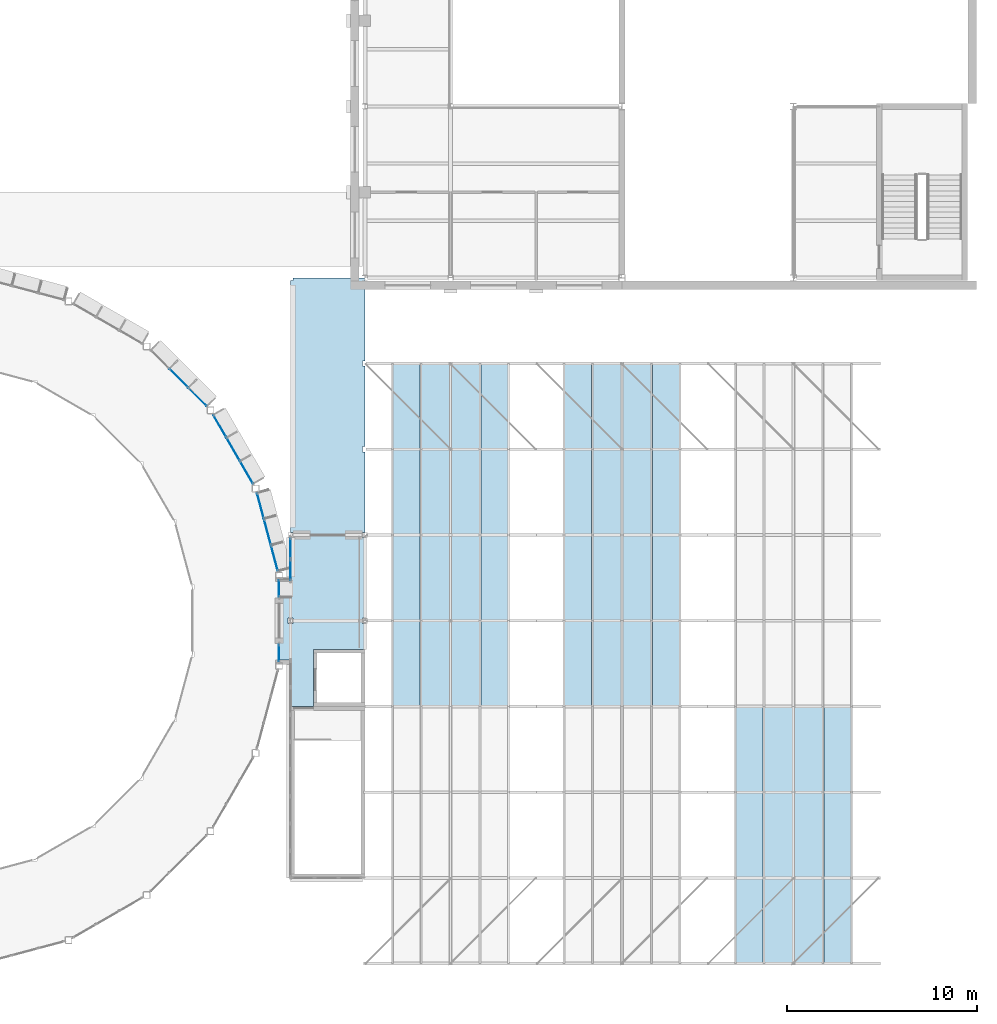
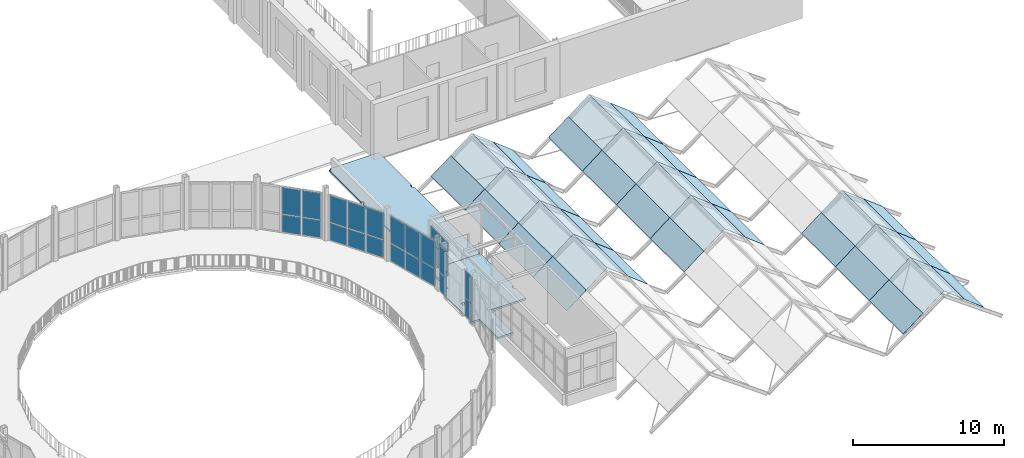
# One storey, part 36 of 74: 68 plates, 2 slabs, 6 elements without a shape of their own.
"""IFC4 building model written with IfcOpenShell, lengths in metres."""

from ifc_helpers import new_model, si_unit, direction, frame, origin, origin_2d, place, context, subcontext, project, spatial, polyline, rectangle, outline, extrude, material, layer, layer_set, type_object, element, aggregate, save


model = new_model("IFC4")

# Units and contexts
model_context = context("Model", 3, precision=1e-05, world=origin(), true_north=direction((0.0, 1.0)))
body_context = subcontext(model_context, "Body", "Model", "MODEL_VIEW")
ifc_project = project(units=[si_unit("LENGTHUNIT", "METRE"), si_unit("AREAUNIT", "SQUARE_METRE"), si_unit("VOLUMEUNIT", "CUBIC_METRE"), si_unit("PLANEANGLEUNIT", "RADIAN"), si_unit("MASSUNIT", "GRAM", prefix="KILO")], contexts=[model_context])

# Site, building, storey
site_placement = place(None, origin())
site = spatial("IfcSite", under=ifc_project, at=site_placement, CompositionType="ELEMENT")
building_placement = place(site_placement, origin())
building = spatial("IfcBuilding", under=site, at=building_placement, Name="Hortulan Conservatory and Botanical Research Centre", CompositionType="ELEMENT")
storey_placement = place(building_placement, frame((0.0, 0.0, 6.0)))
storey = spatial("IfcBuildingStorey", under=building, at=storey_placement, Name="L01", CompositionType="ELEMENT", Elevation=6.0)

# Plates
ifc_material_1 = material(Name="Verdigris copper-green zinc sheet on timber decking", Category="wood")
ifc_layer_1 = layer(ifc_material_1, 0.011962890625)
ifc_layer_set_1 = layer_set([ifc_layer_1], Name="Climate House End Bay Zinc Roof Panel 12")
plate_type_1 = type_object("IfcPlateType", Name="Climate House End Bay Zinc Roof Panel 12", PredefinedType="SHEET", material=ifc_layer_set_1)
plate_1_placement = place(storey_placement, frame((77.89794921875, 27.0, 0.2978515625), z_axis=(-0.613967295793, 0.0, 0.789331463769), x_axis=(0.789331463769, 0.0, 0.613967295793)))
element("IfcPlate", 1, at=plate_1_placement, inside=storey, type_object=plate_type_1, Name="Climate house end bay roof panel", PredefinedType="SHEET", context=body_context, shape_type="SweptSolid", body=[
    extrude(outline(polyline([(0.0, 0.0), (1.9003423388659808, 0.0), (1.9003423388659808, 4.5), (0.0, 4.5), (0.0, 0.0)])), origin(), (0.0, 0.0, -1.0), 0.011962890625),
])
plate_2_placement = place(storey_placement, frame((79.39794921875, 27.0, 1.464599609375), z_axis=(-0.613957268838, 0.0, 0.789339262954), x_axis=(0.789339262954, 0.0, 0.613957268838)))
element("IfcPlate", 2, at=plate_2_placement, inside=storey, type_object=plate_type_1, Name="Climate house end bay roof panel", PredefinedType="SHEET", context=body_context, shape_type="SweptSolid", body=[
    extrude(outline(polyline([(0.0, 0.0), (2.0296098983530797, 0.0), (2.0296098983530797, 4.5), (0.0, 4.5), (0.0, 0.0)])), origin(), (0.0, 0.0, -1.0), 0.011962890625),
])
plate_3_placement = place(storey_placement, frame((84.10205078125, 31.5, 0.2978515625), z_axis=(0.613967295793, 0.0, 0.789331463769), x_axis=(-0.789331463769, 0.0, 0.613967295793)))
element("IfcPlate", 3, at=plate_3_placement, inside=storey, type_object=plate_type_1, Name="Climate house end bay roof panel", PredefinedType="SHEET", context=body_context, shape_type="SweptSolid", body=[
    extrude(outline(polyline([(0.0, 0.0), (1.9003423388659808, 0.0), (1.9003423388659808, 4.5), (0.0, 4.5), (0.0, 0.0)])), origin(), (0.0, 0.0, -1.0), 0.011962890625),
])
plate_4_placement = place(storey_placement, frame((82.60205078125, 31.5, 1.464599609375), z_axis=(0.613957268838, 0.0, 0.789339262954), x_axis=(-0.789339262954, 0.0, 0.613957268838)))
element("IfcPlate", 4, at=plate_4_placement, inside=storey, type_object=plate_type_1, Name="Climate house end bay roof panel", PredefinedType="SHEET", context=body_context, shape_type="SweptSolid", body=[
    extrude(outline(polyline([(0.0, 0.0), (2.0296098983530797, 0.0), (2.0296098983530797, 4.5), (0.0, 4.5), (0.0, 0.0)])), origin(), (0.0, 0.0, -1.0), 0.011962890625),
])
plate_5_placement = place(storey_placement, frame((86.89794921875, 27.0, 0.2978515625), z_axis=(-0.613967295793, 0.0, 0.789331463769), x_axis=(0.789331463769, 0.0, 0.613967295793)))
element("IfcPlate", 5, at=plate_5_placement, inside=storey, type_object=plate_type_1, Name="Climate house end bay roof panel", PredefinedType="SHEET", context=body_context, shape_type="SweptSolid", body=[
    extrude(outline(polyline([(0.0, 0.0), (1.9003423388659808, 0.0), (1.9003423388659808, 4.5), (0.0, 4.5), (0.0, 0.0)])), origin(), (0.0, 0.0, -1.0), 0.011962890625),
])
plate_6_placement = place(storey_placement, frame((88.39794921875, 27.0, 1.464599609375), z_axis=(-0.613957268838, 0.0, 0.789339262954), x_axis=(0.789339262954, 0.0, 0.613957268838)))
element("IfcPlate", 6, at=plate_6_placement, inside=storey, type_object=plate_type_1, Name="Climate house end bay roof panel", PredefinedType="SHEET", context=body_context, shape_type="SweptSolid", body=[
    extrude(outline(polyline([(0.0, 0.0), (2.0296098983530797, 0.0), (2.0296098983530797, 4.5), (0.0, 4.5), (0.0, 0.0)])), origin(), (0.0, 0.0, -1.0), 0.011962890625),
])
plate_7_placement = place(storey_placement, frame((93.10205078125, 31.5, 0.2978515625), z_axis=(0.613967295793, 0.0, 0.789331463769), x_axis=(-0.789331463769, 0.0, 0.613967295793)))
element("IfcPlate", 7, at=plate_7_placement, inside=storey, type_object=plate_type_1, Name="Climate house end bay roof panel", PredefinedType="SHEET", context=body_context, shape_type="SweptSolid", body=[
    extrude(outline(polyline([(0.0, 0.0), (1.9003423388659808, 0.0), (1.9003423388659808, 4.5), (0.0, 4.5), (0.0, 0.0)])), origin(), (0.0, 0.0, -1.0), 0.011962890625),
])
plate_8_placement = place(storey_placement, frame((91.60205078125, 31.5, 1.464599609375), z_axis=(0.613957268838, 0.0, 0.789339262954), x_axis=(-0.789339262954, 0.0, 0.613957268838)))
element("IfcPlate", 8, at=plate_8_placement, inside=storey, type_object=plate_type_1, Name="Climate house end bay roof panel", PredefinedType="SHEET", context=body_context, shape_type="SweptSolid", body=[
    extrude(outline(polyline([(0.0, 0.0), (2.0296098983530797, 0.0), (2.0296098983530797, 4.5), (0.0, 4.5), (0.0, 0.0)])), origin(), (0.0, 0.0, -1.0), 0.011962890625),
])
plate_9_placement = place(storey_placement, frame((95.89794921875, 0.0, 0.2978515625), z_axis=(-0.613967295793, 0.0, 0.789331463769), x_axis=(0.789331463769, 0.0, 0.613967295793)))
element("IfcPlate", 9, at=plate_9_placement, inside=storey, type_object=plate_type_1, Name="Climate house end bay roof panel", PredefinedType="SHEET", context=body_context, shape_type="SweptSolid", body=[
    extrude(outline(polyline([(0.0, 0.0), (1.9003423388659808, 0.0), (1.9003423388659808, 4.5), (0.0, 4.5), (0.0, 0.0)])), origin(), (0.0, 0.0, -1.0), 0.011962890625),
])
plate_10_placement = place(storey_placement, frame((97.39794921875, 0.0, 1.464599609375), z_axis=(-0.613957268838, 0.0, 0.789339262954), x_axis=(0.789339262954, 0.0, 0.613957268838)))
element("IfcPlate", 10, at=plate_10_placement, inside=storey, type_object=plate_type_1, Name="Climate house end bay roof panel", PredefinedType="SHEET", context=body_context, shape_type="SweptSolid", body=[
    extrude(outline(polyline([(0.0, 0.0), (2.0296098983530797, 0.0), (2.0296098983530797, 4.5), (0.0, 4.5), (0.0, 0.0)])), origin(), (0.0, 0.0, -1.0), 0.011962890625),
])
plate_11_placement = place(storey_placement, frame((102.10205078125, 4.5, 0.2978515625), z_axis=(0.613967295793, 0.0, 0.789331463769), x_axis=(-0.789331463769, 0.0, 0.613967295793)))
element("IfcPlate", 11, at=plate_11_placement, inside=storey, type_object=plate_type_1, Name="Climate house end bay roof panel", PredefinedType="SHEET", context=body_context, shape_type="SweptSolid", body=[
    extrude(outline(polyline([(0.0, 0.0), (1.9003423388659808, 0.0), (1.9003423388659808, 4.5), (0.0, 4.5), (0.0, 0.0)])), origin(), (0.0, 0.0, -1.0), 0.011962890625),
])
plate_12_placement = place(storey_placement, frame((100.60205078125, 4.5, 1.464599609375), z_axis=(0.613957268838, 0.0, 0.789339262954), x_axis=(-0.789339262954, 0.0, 0.613957268838)))
element("IfcPlate", 12, at=plate_12_placement, inside=storey, type_object=plate_type_1, Name="Climate house end bay roof panel", PredefinedType="SHEET", context=body_context, shape_type="SweptSolid", body=[
    extrude(outline(polyline([(0.0, 0.0), (2.0296098983530797, 0.0), (2.0296098983530797, 4.5), (0.0, 4.5), (0.0, 0.0)])), origin(), (0.0, 0.0, -1.0), 0.011962890625),
])
ifc_material_2 = material(Name="Low-e laminated glass", Category="glass")
ifc_layer_2 = layer(ifc_material_2, 0.011962890625)
ifc_layer_set_2 = layer_set([ifc_layer_2], Name="Glasshouse Roof Glazing Panel 12")
plate_type_2 = type_object("IfcPlateType", Name="Glasshouse Roof Glazing Panel 12", PredefinedType="SHEET", material=ifc_layer_set_2)
for number, where, z_axis, x_axis, name in (
    (13, (77.89794921875, 13.5, 0.2978515625), (-0.613967295793, 0.0, 0.789331463769), (0.789331463769, 0.0, 0.613967295793), "Glasshouse roof panel"),
    (14, (77.89794921875, 18.0, 0.2978515625), (-0.613967295793, 0.0, 0.789331463769), (0.789331463769, 0.0, 0.613967295793), "Glasshouse roof panel"),
    (15, (77.89794921875, 22.5, 0.2978515625), (-0.613967295793, 0.0, 0.789331463769), (0.789331463769, 0.0, 0.613967295793), "Glasshouse roof panel"),
):
    element("IfcPlate", number, at=place(storey_placement, frame(where, z_axis=z_axis, x_axis=x_axis)), inside=storey, type_object=plate_type_2, Name=name, PredefinedType="SHEET", context=body_context, shape_type="SweptSolid", body=[
        extrude(outline(polyline([(0.0, 0.0), (1.9003423388659808, 0.0), (1.9003423388659808, 4.5), (0.0, 4.5), (0.0, 0.0)])), origin(), (0.0, 0.0, -1.0), 0.011962890625),
    ])
for number, where, z_axis, x_axis, name in (
    (16, (79.39794921875, 13.5, 1.464599609375), (-0.613957268838, 0.0, 0.789339262954), (0.789339262954, 0.0, 0.613957268838), "Glasshouse roof panel"),
    (17, (79.39794921875, 18.0, 1.464599609375), (-0.613957268838, 0.0, 0.789339262954), (0.789339262954, 0.0, 0.613957268838), "Glasshouse roof panel"),
    (18, (79.39794921875, 22.5, 1.464599609375), (-0.613957268838, 0.0, 0.789339262954), (0.789339262954, 0.0, 0.613957268838), "Glasshouse roof panel"),
):
    element("IfcPlate", number, at=place(storey_placement, frame(where, z_axis=z_axis, x_axis=x_axis)), inside=storey, type_object=plate_type_2, Name=name, PredefinedType="SHEET", context=body_context, shape_type="SweptSolid", body=[
        extrude(outline(polyline([(0.0, 0.0), (2.0296098983530797, 0.0), (2.0296098983530797, 4.5), (0.0, 4.5), (0.0, 0.0)])), origin(), (0.0, 0.0, -1.0), 0.011962890625),
    ])
for number, where, z_axis, x_axis, name in (
    (19, (84.10205078125, 18.0, 0.2978515625), (0.613967295793, 0.0, 0.789331463769), (-0.789331463769, 0.0, 0.613967295793), "Glasshouse roof panel"),
    (20, (84.10205078125, 22.5, 0.2978515625), (0.613967295793, 0.0, 0.789331463769), (-0.789331463769, 0.0, 0.613967295793), "Glasshouse roof panel"),
    (21, (84.10205078125, 27.0, 0.2978515625), (0.613967295793, 0.0, 0.789331463769), (-0.789331463769, 0.0, 0.613967295793), "Glasshouse roof panel"),
):
    element("IfcPlate", number, at=place(storey_placement, frame(where, z_axis=z_axis, x_axis=x_axis)), inside=storey, type_object=plate_type_2, Name=name, PredefinedType="SHEET", context=body_context, shape_type="SweptSolid", body=[
        extrude(outline(polyline([(0.0, 0.0), (1.9003423388659808, 0.0), (1.9003423388659808, 4.5), (0.0, 4.5), (0.0, 0.0)])), origin(), (0.0, 0.0, -1.0), 0.011962890625),
    ])
for number, where, z_axis, x_axis, name in (
    (22, (82.60205078125, 18.0, 1.464599609375), (0.613957268838, 0.0, 0.789339262954), (-0.789339262954, 0.0, 0.613957268838), "Glasshouse roof panel"),
    (23, (82.60205078125, 22.5, 1.464599609375), (0.613957268838, 0.0, 0.789339262954), (-0.789339262954, 0.0, 0.613957268838), "Glasshouse roof panel"),
    (24, (82.60205078125, 27.0, 1.464599609375), (0.613957268838, 0.0, 0.789339262954), (-0.789339262954, 0.0, 0.613957268838), "Glasshouse roof panel"),
):
    element("IfcPlate", number, at=place(storey_placement, frame(where, z_axis=z_axis, x_axis=x_axis)), inside=storey, type_object=plate_type_2, Name=name, PredefinedType="SHEET", context=body_context, shape_type="SweptSolid", body=[
        extrude(outline(polyline([(0.0, 0.0), (2.0296098983530797, 0.0), (2.0296098983530797, 4.5), (0.0, 4.5), (0.0, 0.0)])), origin(), (0.0, 0.0, -1.0), 0.011962890625),
    ])
for number, where, z_axis, x_axis, name in (
    (25, (86.89794921875, 13.5, 0.2978515625), (-0.613967295793, 0.0, 0.789331463769), (0.789331463769, 0.0, 0.613967295793), "Glasshouse roof panel"),
    (26, (86.89794921875, 18.0, 0.2978515625), (-0.613967295793, 0.0, 0.789331463769), (0.789331463769, 0.0, 0.613967295793), "Glasshouse roof panel"),
    (27, (86.89794921875, 22.5, 0.2978515625), (-0.613967295793, 0.0, 0.789331463769), (0.789331463769, 0.0, 0.613967295793), "Glasshouse roof panel"),
):
    element("IfcPlate", number, at=place(storey_placement, frame(where, z_axis=z_axis, x_axis=x_axis)), inside=storey, type_object=plate_type_2, Name=name, PredefinedType="SHEET", context=body_context, shape_type="SweptSolid", body=[
        extrude(outline(polyline([(0.0, 0.0), (1.9003423388659808, 0.0), (1.9003423388659808, 4.5), (0.0, 4.5), (0.0, 0.0)])), origin(), (0.0, 0.0, -1.0), 0.011962890625),
    ])
for number, where, z_axis, x_axis, name in (
    (28, (88.39794921875, 13.5, 1.464599609375), (-0.613957268838, 0.0, 0.789339262954), (0.789339262954, 0.0, 0.613957268838), "Glasshouse roof panel"),
    (29, (88.39794921875, 18.0, 1.464599609375), (-0.613957268838, 0.0, 0.789339262954), (0.789339262954, 0.0, 0.613957268838), "Glasshouse roof panel"),
    (30, (88.39794921875, 22.5, 1.464599609375), (-0.613957268838, 0.0, 0.789339262954), (0.789339262954, 0.0, 0.613957268838), "Glasshouse roof panel"),
):
    element("IfcPlate", number, at=place(storey_placement, frame(where, z_axis=z_axis, x_axis=x_axis)), inside=storey, type_object=plate_type_2, Name=name, PredefinedType="SHEET", context=body_context, shape_type="SweptSolid", body=[
        extrude(outline(polyline([(0.0, 0.0), (2.0296098983530797, 0.0), (2.0296098983530797, 4.5), (0.0, 4.5), (0.0, 0.0)])), origin(), (0.0, 0.0, -1.0), 0.011962890625),
    ])
for number, where, z_axis, x_axis, name in (
    (31, (93.10205078125, 18.0, 0.2978515625), (0.613967295793, 0.0, 0.789331463769), (-0.789331463769, 0.0, 0.613967295793), "Glasshouse roof panel"),
    (32, (93.10205078125, 22.5, 0.2978515625), (0.613967295793, 0.0, 0.789331463769), (-0.789331463769, 0.0, 0.613967295793), "Glasshouse roof panel"),
    (33, (93.10205078125, 27.0, 0.2978515625), (0.613967295793, 0.0, 0.789331463769), (-0.789331463769, 0.0, 0.613967295793), "Glasshouse roof panel"),
):
    element("IfcPlate", number, at=place(storey_placement, frame(where, z_axis=z_axis, x_axis=x_axis)), inside=storey, type_object=plate_type_2, Name=name, PredefinedType="SHEET", context=body_context, shape_type="SweptSolid", body=[
        extrude(outline(polyline([(0.0, 0.0), (1.9003423388659808, 0.0), (1.9003423388659808, 4.5), (0.0, 4.5), (0.0, 0.0)])), origin(), (0.0, 0.0, -1.0), 0.011962890625),
    ])
for number, where, z_axis, x_axis, name in (
    (34, (91.60205078125, 18.0, 1.464599609375), (0.613957268838, 0.0, 0.789339262954), (-0.789339262954, 0.0, 0.613957268838), "Glasshouse roof panel"),
    (35, (91.60205078125, 22.5, 1.464599609375), (0.613957268838, 0.0, 0.789339262954), (-0.789339262954, 0.0, 0.613957268838), "Glasshouse roof panel"),
    (36, (91.60205078125, 27.0, 1.464599609375), (0.613957268838, 0.0, 0.789339262954), (-0.789339262954, 0.0, 0.613957268838), "Glasshouse roof panel"),
):
    element("IfcPlate", number, at=place(storey_placement, frame(where, z_axis=z_axis, x_axis=x_axis)), inside=storey, type_object=plate_type_2, Name=name, PredefinedType="SHEET", context=body_context, shape_type="SweptSolid", body=[
        extrude(outline(polyline([(0.0, 0.0), (2.0296098983530797, 0.0), (2.0296098983530797, 4.5), (0.0, 4.5), (0.0, 0.0)])), origin(), (0.0, 0.0, -1.0), 0.011962890625),
    ])
for number, where, z_axis, x_axis, name in (
    (37, (95.89794921875, 4.5, 0.2978515625), (-0.613967295793, 0.0, 0.789331463769), (0.789331463769, 0.0, 0.613967295793), "Glasshouse roof panel"),
    (38, (95.89794921875, 9.0, 0.2978515625), (-0.613967295793, 0.0, 0.789331463769), (0.789331463769, 0.0, 0.613967295793), "Glasshouse roof panel"),
):
    element("IfcPlate", number, at=place(storey_placement, frame(where, z_axis=z_axis, x_axis=x_axis)), inside=storey, type_object=plate_type_2, Name=name, PredefinedType="SHEET", context=body_context, shape_type="SweptSolid", body=[
        extrude(outline(polyline([(0.0, 0.0), (1.9003423388659808, 0.0), (1.9003423388659808, 4.5), (0.0, 4.5), (0.0, 0.0)])), origin(), (0.0, 0.0, -1.0), 0.011962890625),
    ])
for number, where, z_axis, x_axis, name in (
    (39, (97.39794921875, 4.5, 1.464599609375), (-0.613957268838, 0.0, 0.789339262954), (0.789339262954, 0.0, 0.613957268838), "Glasshouse roof panel"),
    (40, (97.39794921875, 9.0, 1.464599609375), (-0.613957268838, 0.0, 0.789339262954), (0.789339262954, 0.0, 0.613957268838), "Glasshouse roof panel"),
):
    element("IfcPlate", number, at=place(storey_placement, frame(where, z_axis=z_axis, x_axis=x_axis)), inside=storey, type_object=plate_type_2, Name=name, PredefinedType="SHEET", context=body_context, shape_type="SweptSolid", body=[
        extrude(outline(polyline([(0.0, 0.0), (2.0296098983530797, 0.0), (2.0296098983530797, 4.5), (0.0, 4.5), (0.0, 0.0)])), origin(), (0.0, 0.0, -1.0), 0.011962890625),
    ])
for number, where, z_axis, x_axis, name in (
    (41, (102.10205078125, 9.0, 0.2978515625), (0.613967295793, 0.0, 0.789331463769), (-0.789331463769, 0.0, 0.613967295793), "Glasshouse roof panel"),
    (42, (102.10205078125, 13.5, 0.2978515625), (0.613967295793, 0.0, 0.789331463769), (-0.789331463769, 0.0, 0.613967295793), "Glasshouse roof panel"),
):
    element("IfcPlate", number, at=place(storey_placement, frame(where, z_axis=z_axis, x_axis=x_axis)), inside=storey, type_object=plate_type_2, Name=name, PredefinedType="SHEET", context=body_context, shape_type="SweptSolid", body=[
        extrude(outline(polyline([(0.0, 0.0), (1.9003423388659808, 0.0), (1.9003423388659808, 4.5), (0.0, 4.5), (0.0, 0.0)])), origin(), (0.0, 0.0, -1.0), 0.011962890625),
    ])
for number, where, z_axis, x_axis, name in (
    (43, (100.60205078125, 9.0, 1.464599609375), (0.613957268838, 0.0, 0.789339262954), (-0.789339262954, 0.0, 0.613957268838), "Glasshouse roof panel"),
    (44, (100.60205078125, 13.5, 1.464599609375), (0.613957268838, 0.0, 0.789339262954), (-0.789339262954, 0.0, 0.613957268838), "Glasshouse roof panel"),
):
    element("IfcPlate", number, at=place(storey_placement, frame(where, z_axis=z_axis, x_axis=x_axis)), inside=storey, type_object=plate_type_2, Name=name, PredefinedType="SHEET", context=body_context, shape_type="SweptSolid", body=[
        extrude(outline(polyline([(0.0, 0.0), (2.0296098983530797, 0.0), (2.0296098983530797, 4.5), (0.0, 4.5), (0.0, 0.0)])), origin(), (0.0, 0.0, -1.0), 0.011962890625),
    ])

# Slabs
ifc_material_3 = material(Name="Concrete N40 (40 MPa, AS 3600)", Category="concrete")
ifc_layer_3 = layer(ifc_material_3, 0.14990234375)
ifc_layer_set_3 = layer_set([ifc_layer_3], Name="Head Link Floor Slab 150")
slab_type_1 = type_object("IfcSlabType", Name="Head Link Floor Slab 150", PredefinedType="FLOOR", material=ifc_layer_set_3)
slab_1_placement = place(storey_placement, frame((0.0, 0.0, -0.14990234375)))
element("IfcSlab", 45, at=slab_1_placement, inside=storey, type_object=slab_type_1, Name="HE floor slab 1", PredefinedType="FLOOR", context=body_context, shape_type="SweptSolid", body=[
    extrude(outline(polyline([(73.800048828125, 16.5), (73.800048828125, 13.5), (72.60009765625, 13.5), (72.60009765625, 15.930419921875), (72.0, 15.930419921875), (72.0, 20.069580078125), (72.60009765625, 20.069580078125), (72.60009765625, 22.364990234375), (72.735107421875, 22.364990234375), (72.735107421875, 22.5), (76.364990234375, 22.5), (76.364990234375, 22.364990234375), (76.5, 22.364990234375), (76.5, 18.135009765625), (76.364990234375, 18.135009765625), (76.364990234375, 17.864990234375), (76.5, 17.864990234375), (76.5, 16.5), (73.800048828125, 16.5)]), holes=[polyline([(72.465087890625, 18.135009765625), (72.465087890625, 17.864990234375), (72.735107421875, 17.864990234375), (72.735107421875, 18.135009765625), (72.465087890625, 18.135009765625)])]), origin(), (0.0, 0.0, 1.0), 0.14990234375),
])
ifc_layer_4 = layer(ifc_material_3, 0.14990234375)
ifc_layer_set_4 = layer_set([ifc_layer_4], Name="Head Link Roof Slab 150")
slab_type_2 = type_object("IfcSlabType", Name="Head Link Roof Slab 150", PredefinedType="ROOF", material=ifc_layer_set_4)
slab_2_placement = place(storey_placement, frame((0.0, 0.0, -0.14990234375)))
element("IfcSlab", 46, at=slab_2_placement, inside=storey, type_object=slab_type_2, Name="HE passage roof slab 1", PredefinedType="ROOF", context=body_context, shape_type="SweptSolid", body=[
    extrude(outline(polyline([(76.5, 22.635009765625), (76.364990234375, 22.635009765625), (76.364990234375, 22.5), (72.735107421875, 22.5), (72.735107421875, 22.635009765625), (72.60009765625, 22.635009765625), (72.60009765625, 26.864990234375), (72.735107421875, 26.864990234375), (72.735107421875, 27.135009765625), (72.60009765625, 27.135009765625), (72.60009765625, 31.364990234375), (72.735107421875, 31.364990234375), (72.735107421875, 31.635009765625), (72.60009765625, 31.635009765625), (72.60009765625, 35.864990234375), (72.735107421875, 35.864990234375), (72.735107421875, 36.0), (76.5, 36.0), (76.5, 31.635009765625), (76.364990234375, 31.635009765625), (76.364990234375, 31.364990234375), (76.5, 31.364990234375), (76.5, 27.135009765625), (76.364990234375, 27.135009765625), (76.364990234375, 26.864990234375), (76.5, 26.864990234375), (76.5, 22.635009765625)])), origin(), (0.0, 0.0, 1.0), 0.14990234375),
])

# Curtain wall, plates
ifc_material_4 = material(Name="Bronze-finished aluminium", Category="aluminium")
ifc_layer_5 = layer(ifc_material_4, 0.10009765625)
ifc_layer_set_5 = layer_set([ifc_layer_5], Name="Bronze-framed Curtain Wall 1500 module")
curtain_wall_type = type_object("IfcCurtainWallType", Name="Bronze-framed Curtain Wall 1500 module", PredefinedType="NOTDEFINED", material=ifc_layer_set_5)
curtain_wall_1_placement = place(storey_placement, origin())
curtain_wall_1 = element("IfcCurtainWall", 47, at=curtain_wall_1_placement, inside=storey, type_object=curtain_wall_type, Name="Curtain wall", PredefinedType="NOTDEFINED")
ifc_layer_6 = layer(ifc_material_2, 0.028076171875)
ifc_layer_set_6 = layer_set([ifc_layer_6], Name="Laminated Glass Panel 28")
plate_type_3 = type_object("IfcPlateType", Name="Laminated Glass Panel 28", PredefinedType="CURTAIN_PANEL", material=ifc_layer_set_6)
plate_13_placement = place(storey_placement, frame((71.0185546875, 24.032470703125, 0.06005859375), z_axis=(0.0, 0.0, 1.0), x_axis=(0.258831936284, -0.965922372015, 0.0)))
plate_13 = element("IfcPlate", 48, at=plate_13_placement, type_object=plate_type_3, Name="CW1 panel 1.1", PredefinedType="CURTAIN_PANEL", context=body_context, shape_type="SweptSolid", body=[
    extrude(rectangle(XDim=1.346923828125, YDim=0.028076171875, at=origin_2d()), origin(), (0.0, 0.0, 1.0), 1.409912109375),
])
plate_14_placement = place(storey_placement, frame((71.0185546875, 24.032470703125, 1.5302734375), z_axis=(0.0, 0.0, 1.0), x_axis=(0.258831936284, -0.965922372015, 0.0)))
plate_14 = element("IfcPlate", 49, at=plate_14_placement, type_object=plate_type_3, Name="CW1 panel 1.2", PredefinedType="CURTAIN_PANEL", context=body_context, shape_type="SweptSolid", body=[
    extrude(rectangle(XDim=1.346923828125, YDim=0.028076171875, at=origin_2d()), origin(), (0.0, 0.0, 1.0), 2.159912109375),
])
plate_15_placement = place(storey_placement, frame((71.38671875, 22.658935546875, 0.06005859375), z_axis=(0.0, 0.0, 1.0), x_axis=(0.258831936284, -0.965922372015, 0.0)))
plate_15 = element("IfcPlate", 50, at=plate_15_placement, type_object=plate_type_3, Name="CW1 panel 2.1", PredefinedType="CURTAIN_PANEL", context=body_context, shape_type="SweptSolid", body=[
    extrude(rectangle(XDim=1.376953125, YDim=0.028076171875, at=origin_2d()), origin(), (0.0, 0.0, 1.0), 1.409912109375),
])
plate_16_placement = place(storey_placement, frame((71.38671875, 22.658935546875, 1.5302734375), z_axis=(0.0, 0.0, 1.0), x_axis=(0.258831936284, -0.965922372015, 0.0)))
plate_16 = element("IfcPlate", 51, at=plate_16_placement, type_object=plate_type_3, Name="CW1 panel 2.2", PredefinedType="CURTAIN_PANEL", context=body_context, shape_type="SweptSolid", body=[
    extrude(rectangle(XDim=1.376953125, YDim=0.028076171875, at=origin_2d()), origin(), (0.0, 0.0, 1.0), 2.159912109375),
])
plate_17_placement = place(storey_placement, frame((71.754638671875, 21.285400390625, 0.06005859375), z_axis=(0.0, 0.0, 1.0), x_axis=(0.258831936284, -0.965922372015, 0.0)))
plate_17 = element("IfcPlate", 52, at=plate_17_placement, type_object=plate_type_3, Name="CW1 panel 3.1", PredefinedType="CURTAIN_PANEL", context=body_context, shape_type="SweptSolid", body=[
    extrude(rectangle(XDim=1.346923828125, YDim=0.028076171875, at=origin_2d()), origin(), (0.0, 0.0, 1.0), 1.409912109375),
])
plate_18_placement = place(storey_placement, frame((71.754638671875, 21.285400390625, 1.5302734375), z_axis=(0.0, 0.0, 1.0), x_axis=(0.258831936284, -0.965922372015, 0.0)))
plate_18 = element("IfcPlate", 53, at=plate_18_placement, type_object=plate_type_3, Name="CW1 panel 3.2", PredefinedType="CURTAIN_PANEL", context=body_context, shape_type="SweptSolid", body=[
    extrude(rectangle(XDim=1.346923828125, YDim=0.028076171875, at=origin_2d()), origin(), (0.0, 0.0, 1.0), 2.159912109375),
])
aggregate(curtain_wall_1, [plate_13, plate_14, plate_15, plate_16, plate_17, plate_18])

curtain_wall_2_placement = place(storey_placement, origin())
curtain_wall_2 = element("IfcCurtainWall", 54, at=curtain_wall_2_placement, inside=storey, type_object=curtain_wall_type, Name="Curtain wall", PredefinedType="NOTDEFINED")
plate_19_placement = place(storey_placement, frame((68.885986328125, 28.217041015625, 0.06005859375), z_axis=(0.0, 0.0, 1.0), x_axis=(0.499981160235, -0.866036280655, 0.0)))
plate_19 = element("IfcPlate", 55, at=plate_19_placement, type_object=plate_type_3, Name="CW1 panel 1.1", PredefinedType="CURTAIN_PANEL", context=body_context, shape_type="SweptSolid", body=[
    extrude(rectangle(XDim=1.330078125, YDim=0.028076171875, at=origin_2d()), origin(), (0.0, 0.0, 1.0), 1.409912109375),
])
plate_20_placement = place(storey_placement, frame((68.885986328125, 28.217041015625, 1.5302734375), z_axis=(0.0, 0.0, 1.0), x_axis=(0.499981160235, -0.866036280655, 0.0)))
plate_20 = element("IfcPlate", 56, at=plate_20_placement, type_object=plate_type_3, Name="CW1 panel 1.2", PredefinedType="CURTAIN_PANEL", context=body_context, shape_type="SweptSolid", body=[
    extrude(rectangle(XDim=1.330078125, YDim=0.028076171875, at=origin_2d()), origin(), (0.0, 0.0, 1.0), 2.159912109375),
])
plate_21_placement = place(storey_placement, frame((69.58837890625, 27.0, 0.06005859375), z_axis=(0.0, 0.0, 1.0), x_axis=(0.499981160235, -0.866036280655, 0.0)))
plate_21 = element("IfcPlate", 57, at=plate_21_placement, type_object=plate_type_3, Name="CW1 panel 2.1", PredefinedType="CURTAIN_PANEL", context=body_context, shape_type="SweptSolid", body=[
    extrude(rectangle(XDim=1.360107421875, YDim=0.028076171875, at=origin_2d()), origin(), (0.0, 0.0, 1.0), 1.409912109375),
])
plate_22_placement = place(storey_placement, frame((69.58837890625, 27.0, 1.5302734375), z_axis=(0.0, 0.0, 1.0), x_axis=(0.499981160235, -0.866036280655, 0.0)))
plate_22 = element("IfcPlate", 58, at=plate_22_placement, type_object=plate_type_3, Name="CW1 panel 2.2", PredefinedType="CURTAIN_PANEL", context=body_context, shape_type="SweptSolid", body=[
    extrude(rectangle(XDim=1.360107421875, YDim=0.028076171875, at=origin_2d()), origin(), (0.0, 0.0, 1.0), 2.159912109375),
])
plate_23_placement = place(storey_placement, frame((70.291015625, 25.782958984375, 0.06005859375), z_axis=(0.0, 0.0, 1.0), x_axis=(0.499981160235, -0.866036280655, 0.0)))
plate_23 = element("IfcPlate", 59, at=plate_23_placement, type_object=plate_type_3, Name="CW1 panel 3.1", PredefinedType="CURTAIN_PANEL", context=body_context, shape_type="SweptSolid", body=[
    extrude(rectangle(XDim=1.330078125, YDim=0.028076171875, at=origin_2d()), origin(), (0.0, 0.0, 1.0), 1.409912109375),
])
plate_24_placement = place(storey_placement, frame((70.291015625, 25.782958984375, 1.5302734375), z_axis=(0.0, 0.0, 1.0), x_axis=(0.499981160235, -0.866036280655, 0.0)))
plate_24 = element("IfcPlate", 60, at=plate_24_placement, type_object=plate_type_3, Name="CW1 panel 3.2", PredefinedType="CURTAIN_PANEL", context=body_context, shape_type="SweptSolid", body=[
    extrude(rectangle(XDim=1.330078125, YDim=0.028076171875, at=origin_2d()), origin(), (0.0, 0.0, 1.0), 2.159912109375),
])
aggregate(curtain_wall_2, [plate_19, plate_20, plate_21, plate_22, plate_23, plate_24])

curtain_wall_3_placement = place(storey_placement, origin())
curtain_wall_3 = element("IfcCurtainWall", 61, at=curtain_wall_3_placement, inside=storey, type_object=curtain_wall_type, Name="Curtain wall", PredefinedType="NOTDEFINED")
plate_25_placement = place(storey_placement, frame((66.72802734375, 30.72802734375, 0.06005859375), z_axis=(0.0, 0.0, 1.0), x_axis=(0.707106781187, -0.707106781187, 0.0)))
plate_25 = element("IfcPlate", 62, at=plate_25_placement, type_object=plate_type_3, Name="CW1 panel 2.1", PredefinedType="CURTAIN_PANEL", context=body_context, shape_type="SweptSolid", body=[
    extrude(rectangle(XDim=1.355224609375, YDim=0.028076171875, at=origin_2d()), origin(), (0.0, 0.0, 1.0), 1.409912109375),
])
plate_26_placement = place(storey_placement, frame((66.72802734375, 30.72802734375, 1.5302734375), z_axis=(0.0, 0.0, 1.0), x_axis=(0.707106781187, -0.707106781187, 0.0)))
plate_26 = element("IfcPlate", 63, at=plate_26_placement, type_object=plate_type_3, Name="CW1 panel 2.2", PredefinedType="CURTAIN_PANEL", context=body_context, shape_type="SweptSolid", body=[
    extrude(rectangle(XDim=1.355224609375, YDim=0.028076171875, at=origin_2d()), origin(), (0.0, 0.0, 1.0), 2.159912109375),
])
plate_27_placement = place(storey_placement, frame((67.718017578125, 29.738037109375, 0.06005859375), z_axis=(0.0, 0.0, 1.0), x_axis=(0.707106781187, -0.707106781187, 0.0)))
plate_27 = element("IfcPlate", 64, at=plate_27_placement, type_object=plate_type_3, Name="CW1 panel 3.1", PredefinedType="CURTAIN_PANEL", context=body_context, shape_type="SweptSolid", body=[
    extrude(rectangle(XDim=1.3251953125, YDim=0.028076171875, at=origin_2d()), origin(), (0.0, 0.0, 1.0), 1.409912109375),
])
plate_28_placement = place(storey_placement, frame((67.718017578125, 29.738037109375, 1.5302734375), z_axis=(0.0, 0.0, 1.0), x_axis=(0.707106781187, -0.707106781187, 0.0)))
plate_28 = element("IfcPlate", 65, at=plate_28_placement, type_object=plate_type_3, Name="CW1 panel 3.2", PredefinedType="CURTAIN_PANEL", context=body_context, shape_type="SweptSolid", body=[
    extrude(rectangle(XDim=1.3251953125, YDim=0.028076171875, at=origin_2d()), origin(), (0.0, 0.0, 1.0), 2.159912109375),
])
aggregate(curtain_wall_3, [plate_25, plate_26, plate_27, plate_28])

curtain_wall_4_placement = place(storey_placement, origin())
curtain_wall_4 = element("IfcCurtainWall", 66, at=curtain_wall_4_placement, inside=storey, type_object=curtain_wall_type, Name="Curtain wall", PredefinedType="NOTDEFINED")
plate_29_placement = place(storey_placement, frame((72.0, 19.697509765625, 0.06005859375), z_axis=(0.0, 0.0, 1.0), x_axis=(0.0, -1.0, 0.0)))
plate_29 = element("IfcPlate", 67, at=plate_29_placement, type_object=plate_type_3, Name="CW1 panel 1.1", PredefinedType="CURTAIN_PANEL", context=body_context, shape_type="SweptSolid", body=[
    extrude(rectangle(XDim=0.875, YDim=0.028076171875, at=origin_2d()), origin(), (0.0, 0.0, 1.0), 1.409912109375),
])
plate_30_placement = place(storey_placement, frame((72.0, 19.697509765625, 1.5302734375), z_axis=(0.0, 0.0, 1.0), x_axis=(0.0, -1.0, 0.0)))
plate_30 = element("IfcPlate", 68, at=plate_30_placement, type_object=plate_type_3, Name="CW1 panel 1.2", PredefinedType="CURTAIN_PANEL", context=body_context, shape_type="SweptSolid", body=[
    extrude(rectangle(XDim=0.875, YDim=0.028076171875, at=origin_2d()), origin(), (0.0, 0.0, 1.0), 2.159912109375),
])
aggregate(curtain_wall_4, [plate_29, plate_30])

curtain_wall_5_placement = place(storey_placement, origin())
curtain_wall_5 = element("IfcCurtainWall", 69, at=curtain_wall_5_placement, inside=storey, type_object=curtain_wall_type, Name="Curtain wall", PredefinedType="NOTDEFINED")
plate_31_placement = place(storey_placement, frame((72.0, 16.302490234375, 0.06005859375), z_axis=(0.0, 0.0, 1.0), x_axis=(0.0, -1.0, 0.0)))
plate_31 = element("IfcPlate", 70, at=plate_31_placement, type_object=plate_type_3, Name="CW1 panel 1.1", PredefinedType="CURTAIN_PANEL", context=body_context, shape_type="SweptSolid", body=[
    extrude(rectangle(XDim=0.875, YDim=0.028076171875, at=origin_2d()), origin(), (0.0, 0.0, 1.0), 1.409912109375),
])
plate_32_placement = place(storey_placement, frame((72.0, 16.302490234375, 1.5302734375), z_axis=(0.0, 0.0, 1.0), x_axis=(0.0, -1.0, 0.0)))
plate_32 = element("IfcPlate", 71, at=plate_32_placement, type_object=plate_type_3, Name="CW1 panel 1.2", PredefinedType="CURTAIN_PANEL", context=body_context, shape_type="SweptSolid", body=[
    extrude(rectangle(XDim=0.875, YDim=0.028076171875, at=origin_2d()), origin(), (0.0, 0.0, 1.0), 2.159912109375),
])
aggregate(curtain_wall_5, [plate_31, plate_32])

curtain_wall_6_placement = place(storey_placement, origin())
curtain_wall_6 = element("IfcCurtainWall", 72, at=curtain_wall_6_placement, inside=storey, type_object=curtain_wall_type, Name="Curtain wall", PredefinedType="NOTDEFINED")
plate_33_placement = place(storey_placement, frame((72.60009765625, 20.6611328125, 0.9599609375), z_axis=(0.0, 0.0, 1.0), x_axis=(0.0, 1.0, 0.0)))
plate_33 = element("IfcPlate", 73, at=plate_33_placement, type_object=plate_type_3, Name="CW1 panel 1.1", PredefinedType="CURTAIN_PANEL", context=body_context, shape_type="SweptSolid", body=[
    extrude(rectangle(XDim=1.062744140625, YDim=0.028076171875, at=origin_2d()), origin(), (0.0, 0.0, 1.0), 1.409912109375),
])
plate_34_placement = place(storey_placement, frame((72.60009765625, 20.6611328125, 2.429931640625), z_axis=(0.0, 0.0, 1.0), x_axis=(0.0, 1.0, 0.0)))
plate_34 = element("IfcPlate", 74, at=plate_34_placement, type_object=plate_type_3, Name="CW1 panel 1.2", PredefinedType="CURTAIN_PANEL", context=body_context, shape_type="SweptSolid", body=[
    extrude(rectangle(XDim=1.062744140625, YDim=0.028076171875, at=origin_2d()), origin(), (0.0, 0.0, 1.0), 1.25),
])
plate_35_placement = place(storey_placement, frame((72.60009765625, 21.78369140625, 0.9599609375), z_axis=(0.0, 0.0, 1.0), x_axis=(0.0, 1.0, 0.0)))
plate_35 = element("IfcPlate", 75, at=plate_35_placement, type_object=plate_type_3, Name="CW1 panel 2.1", PredefinedType="CURTAIN_PANEL", context=body_context, shape_type="SweptSolid", body=[
    extrude(rectangle(XDim=1.062744140625, YDim=0.028076171875, at=origin_2d()), origin(), (0.0, 0.0, 1.0), 1.409912109375),
])
plate_36_placement = place(storey_placement, frame((72.60009765625, 21.78369140625, 2.429931640625), z_axis=(0.0, 0.0, 1.0), x_axis=(0.0, 1.0, 0.0)))
plate_36 = element("IfcPlate", 76, at=plate_36_placement, type_object=plate_type_3, Name="CW1 panel 2.2", PredefinedType="CURTAIN_PANEL", context=body_context, shape_type="SweptSolid", body=[
    extrude(rectangle(XDim=1.062744140625, YDim=0.028076171875, at=origin_2d()), origin(), (0.0, 0.0, 1.0), 1.25),
])
aggregate(curtain_wall_6, [plate_33, plate_34, plate_35, plate_36])

save(model, "model.ifc")
